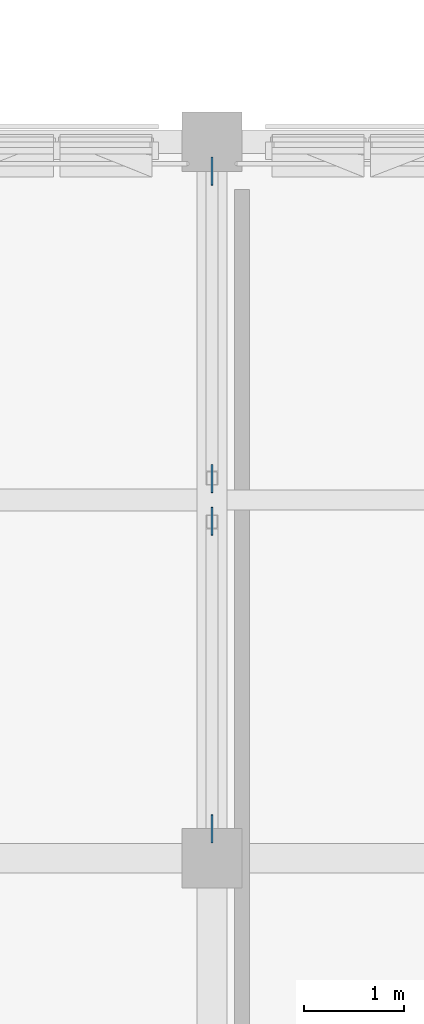
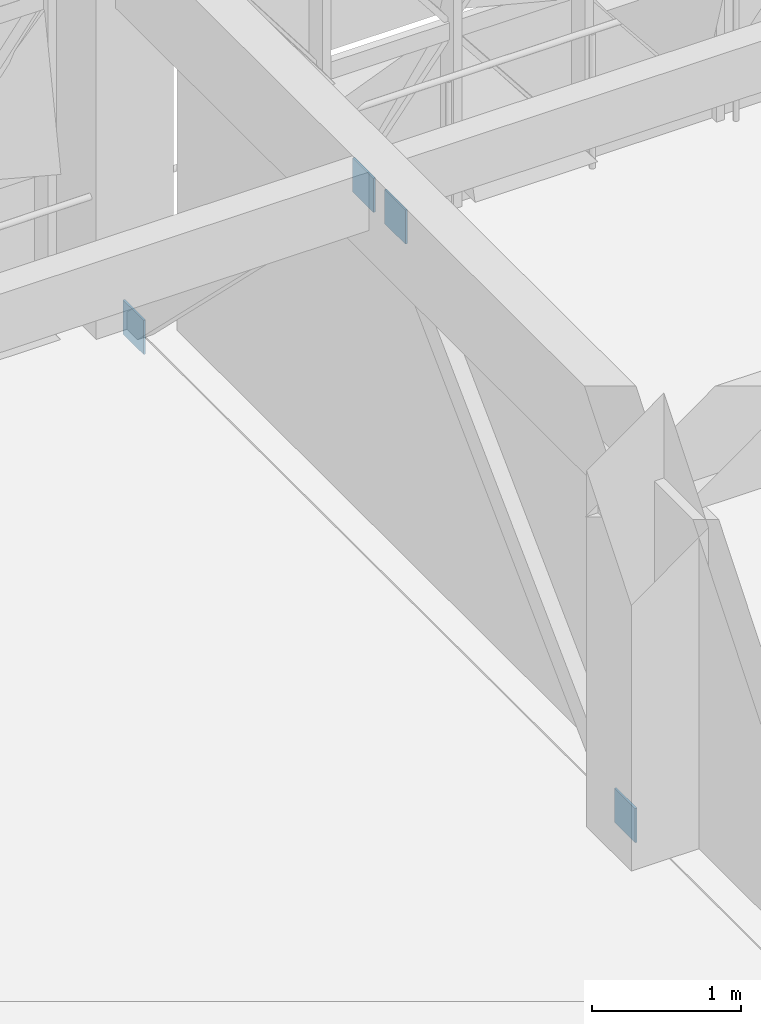
# One storey, part 39 of 74: 4 plates.
"""IFC4 building model written with IfcOpenShell, lengths in metres."""

from ifc_helpers import new_model, si_unit, direction, frame, origin, place, context, subcontext, project, spatial, polyline, outline, extrude, material, layer, layer_set, type_object, element, save


model = new_model("IFC4")

# Units and contexts
model_context = context("Model", 3, precision=1e-05, world=origin(), true_north=direction((0.0, 1.0)))
body_context = subcontext(model_context, "Body", "Model", "MODEL_VIEW")
ifc_project = project(units=[si_unit("LENGTHUNIT", "METRE"), si_unit("AREAUNIT", "SQUARE_METRE"), si_unit("VOLUMEUNIT", "CUBIC_METRE"), si_unit("PLANEANGLEUNIT", "RADIAN"), si_unit("MASSUNIT", "GRAM", prefix="KILO")], contexts=[model_context])

# Site, building, storey
site_placement = place(None, origin())
site = spatial("IfcSite", under=ifc_project, at=site_placement, CompositionType="ELEMENT")
building_placement = place(site_placement, origin())
building = spatial("IfcBuilding", under=site, at=building_placement, Name="Alvorim Cloister Faculty of Sciences", CompositionType="ELEMENT")
storey_placement = place(building_placement, frame((0.0, 0.0, 15.75)))
storey = spatial("IfcBuildingStorey", under=building, at=storey_placement, Name="L04", CompositionType="ELEMENT", Elevation=15.75)

# Plates
ifc_material = material(Name="Steel ASTM A572 Grade 50", Category="steel")
ifc_layer = layer(ifc_material, 0.01611328125)
ifc_layer_set = layer_set([ifc_layer], Name="Steel ASTM A572 Grade 50")
plate_type = type_object("IfcPlateType", Name="PL-CAP-16", PredefinedType="SHEET", material=ifc_layer_set)
plate_1_placement = place(storey_placement, frame((28.800048828125, 49.354248046875, -0.1455078125), z_axis=(0.0, 0.0, 1.0), x_axis=(0.0, 1.0, 0.0)))
element("IfcPlate", 1, at=plate_1_placement, inside=storey, type_object=plate_type, Name="Hollow Steel End Plate ND-06", PredefinedType="SHEET", context=body_context, shape_type="SweptSolid", body=[
    extrude(outline(polyline([(0.0, 0.0), (0.280029296875, 0.0), (0.280029296875, 0.27978515625), (0.0, 0.27978515625), (0.0, 0.0)])), frame((0.0, 0.008056640625, 0.0), z_axis=(0.0, -1.0, 0.0), x_axis=(1.0, 0.0, 0.0)), (0.0, 0.0, 1.0), 0.01611328125),
])
plate_2_placement = place(storey_placement, frame((28.800048828125, 52.44580078125, 2.8955078125), z_axis=(0.0, 0.0, 1.0), x_axis=(0.0, 1.0, 0.0)))
element("IfcPlate", 2, at=plate_2_placement, inside=storey, type_object=plate_type, Name="Hollow Steel End Plate ND-06", PredefinedType="SHEET", context=body_context, shape_type="SweptSolid", body=[
    extrude(outline(polyline([(0.0, 0.0), (0.280029296875, 0.0), (0.280029296875, 0.280029296875), (0.0, 0.280029296875), (0.0, 0.0)])), frame((0.0, 0.008056640625, 0.0), z_axis=(0.0, -1.0, 0.0), x_axis=(1.0, 0.0, 0.0)), (0.0, 0.0, 1.0), 0.01611328125),
])
plate_3_placement = place(storey_placement, frame((28.800048828125, 56.24560546875, -0.1455078125), z_axis=(0.0, 0.0, 1.0), x_axis=(0.0, -1.0, 0.0)))
element("IfcPlate", 3, at=plate_3_placement, inside=storey, type_object=plate_type, Name="Hollow Steel End Plate ND-06", PredefinedType="SHEET", context=body_context, shape_type="SweptSolid", body=[
    extrude(outline(polyline([(0.0, 0.0), (0.280029296875, 0.0), (0.280029296875, 0.27978515625), (0.0, 0.27978515625), (0.0, 0.0)])), frame((0.0, 0.008056640625, 0.0), z_axis=(0.0, -1.0, 0.0), x_axis=(1.0, 0.0, 0.0)), (0.0, 0.0, 1.0), 0.01611328125),
])
plate_4_placement = place(storey_placement, frame((28.800048828125, 53.154296875, 2.8955078125), z_axis=(0.0, 0.0, 1.0), x_axis=(0.0, -1.0, 0.0)))
element("IfcPlate", 4, at=plate_4_placement, inside=storey, type_object=plate_type, Name="Hollow Steel End Plate ND-06", PredefinedType="SHEET", context=body_context, shape_type="SweptSolid", body=[
    extrude(outline(polyline([(0.0, 0.0), (0.280029296875, 0.0), (0.280029296875, 0.280029296875), (0.0, 0.280029296875), (0.0, 0.0)])), frame((0.0, 0.008056640625, 0.0), z_axis=(0.0, -1.0, 0.0), x_axis=(1.0, 0.0, 0.0)), (0.0, 0.0, 1.0), 0.01611328125),
])

save(model, "model.ifc")
